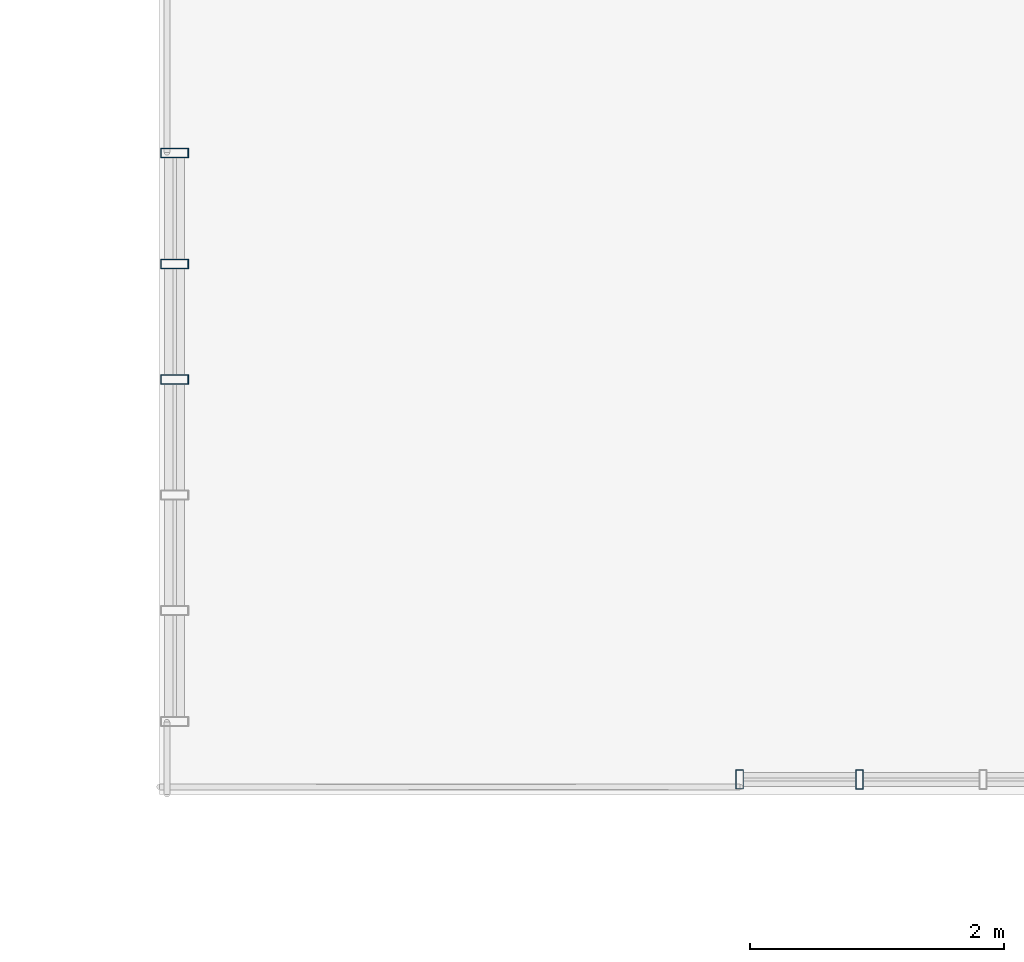
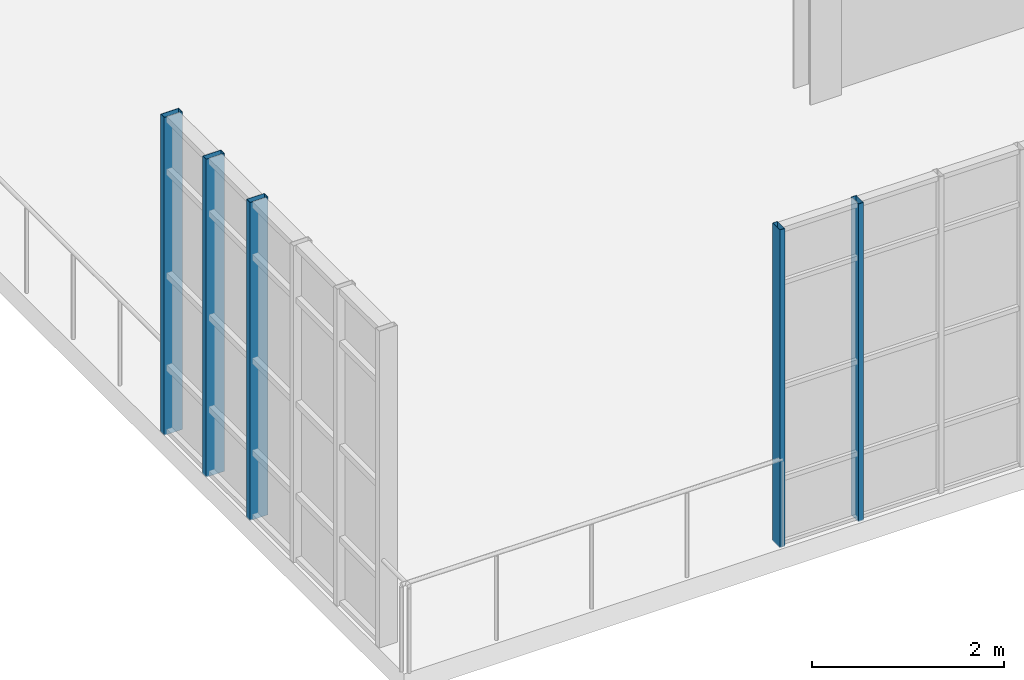
# One storey, part 32 of 122: 5 members, 2 elements without a shape of their own.
"""IFC4 building model written with IfcOpenShell, lengths in metres."""

from ifc_helpers import new_model, si_unit, direction, frame, origin, origin_2d, place, context, subcontext, project, spatial, hollow_rectangle, extrude, material, layer, layer_set, material_profile, profile_set, type_object, element, aggregate, save


model = new_model("IFC4")

# Units and contexts
model_context = context("Model", 3, precision=1e-05, world=origin(), true_north=direction((0.0, 1.0)))
body_context = subcontext(model_context, "Body", "Model", "MODEL_VIEW")
ifc_project = project(units=[si_unit("LENGTHUNIT", "METRE"), si_unit("AREAUNIT", "SQUARE_METRE"), si_unit("VOLUMEUNIT", "CUBIC_METRE"), si_unit("PLANEANGLEUNIT", "RADIAN"), si_unit("MASSUNIT", "GRAM", prefix="KILO"), si_unit("THERMODYNAMICTEMPERATUREUNIT", "KELVIN"), si_unit("POWERUNIT", "WATT")], contexts=[model_context])

# Site, building, storey
site_placement = place(None, origin())
site = spatial("IfcSite", under=ifc_project, at=site_placement, CompositionType="ELEMENT")
building_placement = place(site_placement, origin())
building = spatial("IfcBuilding", under=site, at=building_placement, Name="Zelmaris Science Centre", CompositionType="ELEMENT")
storey_placement = place(building_placement, frame((0.0, 0.0, 10.800048828125)))
storey = spatial("IfcBuildingStorey", under=building, at=storey_placement, Name="L02", CompositionType="ELEMENT", Elevation=10.800048828125)

# Curtain wall, members
ifc_material = material(Name="Anodised architectural aluminium 6063-T6", Category="aluminium")
ifc_layer_1 = layer(ifc_material, 0.219970703125, Name="Anodised architectural aluminium 6063-T6")
ifc_layer_set_1 = layer_set([ifc_layer_1], Name="Anodised architectural aluminium 6063-T6")
curtain_wall_type_1 = type_object("IfcCurtainWallType", Name="Curtain Wall CW-04", PredefinedType="USERDEFINED", material=ifc_layer_set_1)
curtain_wall_1_placement = place(storey_placement, origin())
curtain_wall_1 = element("IfcCurtainWall", 1, at=curtain_wall_1_placement, inside=storey, type_object=curtain_wall_type_1, Name="L02 Unitised curtain wall 268", ObjectType="GLAZED CURTAIN WALL", PredefinedType="USERDEFINED")
ifc_material_profile_1 = material_profile(ifc_material, hollow_rectangle(XDim=0.06005859375, YDim=0.14990234375, WallThickness=0.00341796875, at=origin_2d()), Name="ALU-MUL-60X150")
ifc_profile_set_1 = profile_set([ifc_material_profile_1], Name="Anodised architectural aluminium 6063-T6")
member_type_1 = type_object("IfcMemberType", Name="ALU-MUL-60X150", PredefinedType="MULLION", material=ifc_profile_set_1)
member_1_placement = place(storey_placement, frame((104.50830078125, 49.118408203125, -0.01513671875), z_axis=(0.0, 0.0, 1.0), x_axis=(-0.999999955983, 0.000296705968, 0.0)))
member_1 = element("IfcMember", 2, at=member_1_placement, type_object=member_type_1, Name="CW-04 mullion 4", PredefinedType="MULLION", context=body_context, shape_type="SweptSolid", body=[
    extrude(hollow_rectangle(XDim=0.06005859375, YDim=0.14990234375, WallThickness=0.00341796875, at=origin_2d()), origin(), (0.0, 0.0, 1.0), 4.03515625),
])
member_2_placement = place(storey_placement, frame((103.564697265625, 49.11865234375, -0.01513671875), z_axis=(0.0, 0.0, 1.0), x_axis=(-0.999999955983, 0.000296705968, 0.0)))
member_2 = element("IfcMember", 3, at=member_2_placement, type_object=member_type_1, Name="CW-04 mullion 5", PredefinedType="MULLION", context=body_context, shape_type="SweptSolid", body=[
    extrude(hollow_rectangle(XDim=0.06005859375, YDim=0.14990234375, WallThickness=0.00341796875, at=origin_2d()), origin(), (0.0, 0.0, 1.0), 4.03515625),
])
aggregate(curtain_wall_1, [member_1, member_2])

ifc_layer_2 = layer(ifc_material, 0.199951171875, Name="Anodised architectural aluminium 6063-T6")
ifc_layer_set_2 = layer_set([ifc_layer_2], Name="Anodised architectural aluminium 6063-T6")
curtain_wall_type_2 = type_object("IfcCurtainWallType", Name="Curtain Wall CW-02", PredefinedType="USERDEFINED", material=ifc_layer_set_2)
curtain_wall_2_placement = place(storey_placement, origin())
curtain_wall_2 = element("IfcCurtainWall", 4, at=curtain_wall_2_placement, inside=storey, type_object=curtain_wall_type_2, Name="L02 Unitised curtain wall 270", ObjectType="GLAZED CURTAIN WALL", PredefinedType="USERDEFINED")
ifc_material_profile_2 = material_profile(ifc_material, hollow_rectangle(XDim=0.074951171875, YDim=0.219970703125, WallThickness=0.0048828125, at=origin_2d()), Name="ALU-MUL-75X220")
ifc_profile_set_2 = profile_set([ifc_material_profile_2], Name="Anodised architectural aluminium 6063-T6")
member_type_2 = type_object("IfcMemberType", Name="ALU-MUL-75X220", PredefinedType="MULLION", material=ifc_profile_set_2)
member_3_placement = place(storey_placement, frame((99.1201171875, 52.26416015625, -0.01513671875), z_axis=(0.0, 0.0, 1.0), x_axis=(-5.235988e-06, 0.999999999986, 0.0)))
member_3 = element("IfcMember", 5, at=member_3_placement, type_object=member_type_2, Name="CW-02 mullion 4", PredefinedType="MULLION", context=body_context, shape_type="SweptSolid", body=[
    extrude(hollow_rectangle(XDim=0.074951171875, YDim=0.219970703125, WallThickness=0.0048828125, at=origin_2d()), origin(), (0.0, 0.0, 1.0), 4.03515625),
])
member_4_placement = place(storey_placement, frame((99.1201171875, 53.172119140625, -0.01513671875), z_axis=(0.0, 0.0, 1.0), x_axis=(-5.235988e-06, 0.999999999986, 0.0)))
member_4 = element("IfcMember", 6, at=member_4_placement, type_object=member_type_2, Name="CW-02 mullion 5", PredefinedType="MULLION", context=body_context, shape_type="SweptSolid", body=[
    extrude(hollow_rectangle(XDim=0.074951171875, YDim=0.219970703125, WallThickness=0.0048828125, at=origin_2d()), origin(), (0.0, 0.0, 1.0), 4.03515625),
])
member_5_placement = place(storey_placement, frame((99.1201171875, 54.04638671875, -0.01513671875), z_axis=(0.0, 0.0, 1.0), x_axis=(-5.235988e-06, 0.999999999986, 0.0)))
member_5 = element("IfcMember", 7, at=member_5_placement, type_object=member_type_2, Name="CW-02 mullion 6", PredefinedType="MULLION", context=body_context, shape_type="SweptSolid", body=[
    extrude(hollow_rectangle(XDim=0.074951171875, YDim=0.219970703125, WallThickness=0.0048828125, at=origin_2d()), origin(), (0.0, 0.0, 1.0), 4.03515625),
])
aggregate(curtain_wall_2, [member_3, member_4, member_5])

save(model, "model.ifc")
